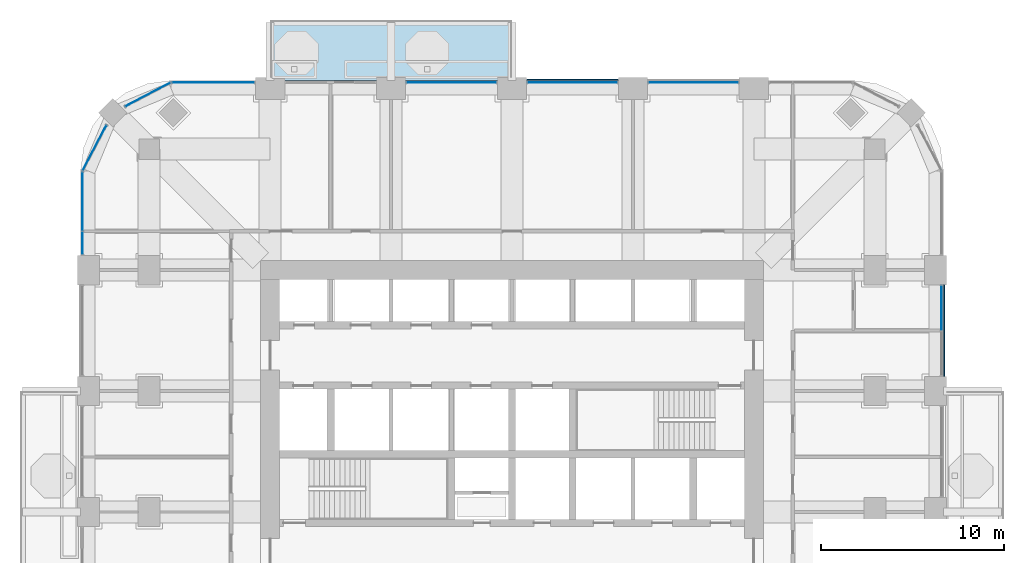
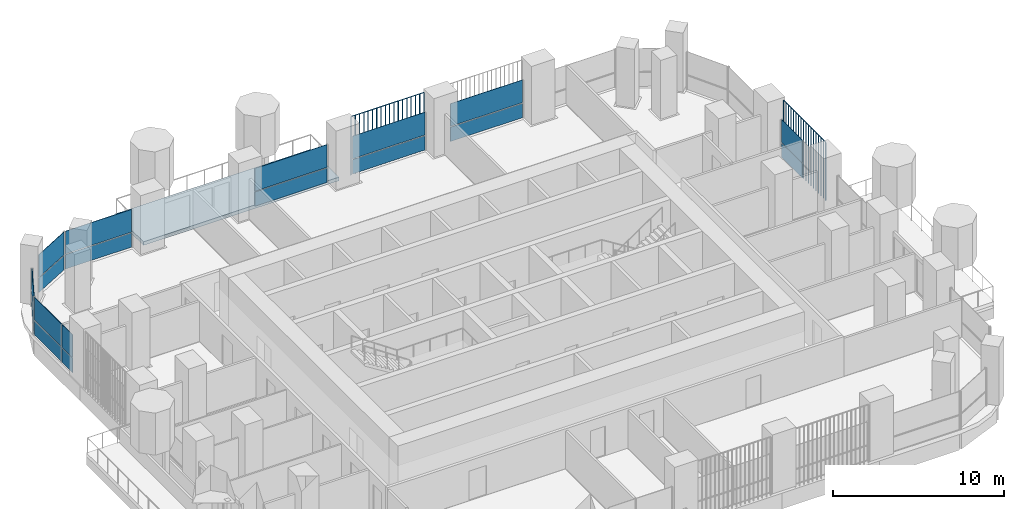
# One storey, part 10 of 20: 20 plates, 1 slab, 8 elements without a shape of their own.
"""IFC4 building model written with IfcOpenShell, lengths in metres."""

from ifc_helpers import new_model, si_unit, direction, frame, origin, origin_2d, place, context, subcontext, project, spatial, polyline, rectangle, outline, extrude, material, layer, layer_set, type_object, element, aggregate, save


model = new_model("IFC4")

# Units and contexts
model_context = context("Model", 3, precision=1e-05, world=origin(), true_north=direction((0.0, 1.0)))
body_context = subcontext(model_context, "Body", "Model", "MODEL_VIEW")
ifc_project = project(units=[si_unit("LENGTHUNIT", "METRE"), si_unit("AREAUNIT", "SQUARE_METRE"), si_unit("VOLUMEUNIT", "CUBIC_METRE"), si_unit("PLANEANGLEUNIT", "RADIAN"), si_unit("MASSUNIT", "GRAM", prefix="KILO")], contexts=[model_context])

# Site, building, storey
site_placement = place(None, origin())
site = spatial("IfcSite", under=ifc_project, at=site_placement, CompositionType="ELEMENT")
building_placement = place(site_placement, origin())
building = spatial("IfcBuilding", under=site, at=building_placement, Name="Cobogo Forest Laboratory Tower", CompositionType="ELEMENT")
storey_placement = place(building_placement, frame((0.0, 0.0, 193.5)))
storey = spatial("IfcBuildingStorey", under=building, at=storey_placement, Name="L44", CompositionType="ELEMENT", Elevation=193.5)

# Slab
ifc_material_1 = material(Name="Concrete HA-40 (C40/50)", Category="concrete")
ifc_layer_1 = layer(ifc_material_1, 0.25)
ifc_layer_set_1 = layer_set([ifc_layer_1], Name="Balcony slab 250")
slab_type = type_object("IfcSlabType", Name="Balcony slab 250", PredefinedType="FLOOR", material=ifc_layer_set_1)
slab_placement = place(storey_placement, frame((0.0, 0.0, -0.25)))
element("IfcSlab", 1, at=slab_placement, inside=storey, type_object=slab_type, Name="Balcony BAL-N1 L44", PredefinedType="FLOOR", context=body_context, shape_type="SweptSolid", body=[
    extrude(outline(polyline([(13.199951171875, 43.35009765625), (26.39990234375, 43.35009765625), (26.39990234375, 46.64990234375), (13.199951171875, 46.64990234375), (13.199951171875, 43.35009765625)])), origin(), (0.0, 0.0, 1.0), 0.25),
])

# Curtain wall, plates
ifc_material_2 = material(Name="Aluminium curtain wall", Category="aluminium")
curtain_wall_type = type_object("IfcCurtainWallType", Name="CW-2 unitised curtain wall, solar control glazing, laboratory floors zones C and D", PredefinedType="USERDEFINED", material=ifc_material_2)
curtain_wall_1_placement = place(storey_placement, origin())
curtain_wall_1 = element("IfcCurtainWall", 2, at=curtain_wall_1_placement, inside=storey, type_object=curtain_wall_type, Name="Curtain wall 12 L44", ObjectType="UNITISED CURTAIN WALL", PredefinedType="USERDEFINED")
ifc_material_3 = material(Name="Solar control insulated glass", Category="glass")
ifc_layer_2 = layer(ifc_material_3, 0.031982421875)
ifc_layer_set_2 = layer_set([ifc_layer_2], Name="GP-2 solar control glass unit 32")
plate_type_1 = type_object("IfcPlateType", Name="GP-2 solar control glass unit 32", PredefinedType="CURTAIN_PANEL", material=ifc_layer_set_2)
plate_1_placement = place(storey_placement, frame((49.85009765625, 30.93505859375, 0.0), z_axis=(0.0, 0.0, 1.0), x_axis=(0.0, 1.0, 0.0)))
plate_1 = element("IfcPlate", 3, at=plate_1_placement, type_object=plate_type_1, Name="CW-2 panel 2.1", PredefinedType="CURTAIN_PANEL", context=body_context, shape_type="SweptSolid", body=[
    extrude(rectangle(XDim=2.409912109375, YDim=0.031982421875, at=origin_2d()), origin(), (0.0, 0.0, 1.0), 1.02001953125),
])
plate_2_placement = place(storey_placement, frame((49.85009765625, 30.93505859375, 1.079833984375), z_axis=(0.0, 0.0, 1.0), x_axis=(0.0, 1.0, 0.0)))
plate_2 = element("IfcPlate", 4, at=plate_2_placement, type_object=plate_type_1, Name="CW-2 panel 2.2", PredefinedType="CURTAIN_PANEL", context=body_context, shape_type="SweptSolid", body=[
    extrude(rectangle(XDim=2.409912109375, YDim=0.031982421875, at=origin_2d()), origin(), (0.0, 0.0, 1.0), 1.6201171875),
])
aggregate(curtain_wall_1, [plate_1, plate_2])

curtain_wall_2_placement = place(storey_placement, origin())
curtain_wall_2 = element("IfcCurtainWall", 5, at=curtain_wall_2_placement, inside=storey, type_object=curtain_wall_type, Name="Curtain wall 17 L44", ObjectType="UNITISED CURTAIN WALL", PredefinedType="USERDEFINED")
plate_3_placement = place(storey_placement, frame((36.300048828125, 43.25, 0.0), z_axis=(0.0, 0.0, 1.0), x_axis=(-1.0, 0.0, 0.0)))
plate_3 = element("IfcPlate", 6, at=plate_3_placement, type_object=plate_type_1, Name="CW-2 panel 1.1", PredefinedType="CURTAIN_PANEL", context=body_context, shape_type="SweptSolid", body=[
    extrude(rectangle(XDim=4.8798828125, YDim=0.031982421875, at=origin_2d()), origin(), (0.0, 0.0, 1.0), 1.02001953125),
])
plate_4_placement = place(storey_placement, frame((36.300048828125, 43.25, 1.079833984375), z_axis=(0.0, 0.0, 1.0), x_axis=(-1.0, 0.0, 0.0)))
plate_4 = element("IfcPlate", 7, at=plate_4_placement, type_object=plate_type_1, Name="CW-2 panel 1.2", PredefinedType="CURTAIN_PANEL", context=body_context, shape_type="SweptSolid", body=[
    extrude(rectangle(XDim=4.8798828125, YDim=0.031982421875, at=origin_2d()), origin(), (0.0, 0.0, 1.0), 1.6201171875),
])
aggregate(curtain_wall_2, [plate_3, plate_4])

curtain_wall_3_placement = place(storey_placement, origin())
curtain_wall_3 = element("IfcCurtainWall", 8, at=curtain_wall_3_placement, inside=storey, type_object=curtain_wall_type, Name="Curtain wall 18 L44", ObjectType="UNITISED CURTAIN WALL", PredefinedType="USERDEFINED")
plate_5_placement = place(storey_placement, frame((29.699951171875, 43.25, 0.0), z_axis=(0.0, 0.0, 1.0), x_axis=(-1.0, 0.0, 0.0)))
plate_5 = element("IfcPlate", 9, at=plate_5_placement, type_object=plate_type_1, Name="CW-2 panel 1.1", PredefinedType="CURTAIN_PANEL", context=body_context, shape_type="SweptSolid", body=[
    extrude(rectangle(XDim=4.8798828125, YDim=0.031982421875, at=origin_2d()), origin(), (0.0, 0.0, 1.0), 1.02001953125),
])
plate_6_placement = place(storey_placement, frame((29.699951171875, 43.25, 1.079833984375), z_axis=(0.0, 0.0, 1.0), x_axis=(-1.0, 0.0, 0.0)))
plate_6 = element("IfcPlate", 10, at=plate_6_placement, type_object=plate_type_1, Name="CW-2 panel 1.2", PredefinedType="CURTAIN_PANEL", context=body_context, shape_type="SweptSolid", body=[
    extrude(rectangle(XDim=4.8798828125, YDim=0.031982421875, at=origin_2d()), origin(), (0.0, 0.0, 1.0), 1.6201171875),
])
aggregate(curtain_wall_3, [plate_5, plate_6])

curtain_wall_4_placement = place(storey_placement, origin())
curtain_wall_4 = element("IfcCurtainWall", 11, at=curtain_wall_4_placement, inside=storey, type_object=curtain_wall_type, Name="Curtain wall 19 L44", ObjectType="UNITISED CURTAIN WALL", PredefinedType="USERDEFINED")
plate_7_placement = place(storey_placement, frame((23.10009765625, 43.25, 0.0), z_axis=(0.0, 0.0, 1.0), x_axis=(-1.0, 0.0, 0.0)))
plate_7 = element("IfcPlate", 12, at=plate_7_placement, type_object=plate_type_1, Name="CW-2 panel 1.1", PredefinedType="CURTAIN_PANEL", context=body_context, shape_type="SweptSolid", body=[
    extrude(rectangle(XDim=4.8798828125, YDim=0.031982421875, at=origin_2d()), origin(), (0.0, 0.0, 1.0), 1.02001953125),
])
plate_8_placement = place(storey_placement, frame((23.10009765625, 43.25, 1.079833984375), z_axis=(0.0, 0.0, 1.0), x_axis=(-1.0, 0.0, 0.0)))
plate_8 = element("IfcPlate", 13, at=plate_8_placement, type_object=plate_type_1, Name="CW-2 panel 1.2", PredefinedType="CURTAIN_PANEL", context=body_context, shape_type="SweptSolid", body=[
    extrude(rectangle(XDim=4.8798828125, YDim=0.031982421875, at=origin_2d()), origin(), (0.0, 0.0, 1.0), 1.6201171875),
])
aggregate(curtain_wall_4, [plate_7, plate_8])

curtain_wall_5_placement = place(storey_placement, origin())
curtain_wall_5 = element("IfcCurtainWall", 14, at=curtain_wall_5_placement, inside=storey, type_object=curtain_wall_type, Name="Curtain wall 21 L44", ObjectType="UNITISED CURTAIN WALL", PredefinedType="USERDEFINED")
plate_9_placement = place(storey_placement, frame((10.10009765625, 43.25, 0.0), z_axis=(0.0, 0.0, 1.0), x_axis=(-1.0, 0.0, 0.0)))
plate_9 = element("IfcPlate", 15, at=plate_9_placement, type_object=plate_type_1, Name="CW-2 panel 1.1", PredefinedType="CURTAIN_PANEL", context=body_context, shape_type="SweptSolid", body=[
    extrude(rectangle(XDim=4.47998046875, YDim=0.031982421875, at=origin_2d()), origin(), (0.0, 0.0, 1.0), 1.02001953125),
])
plate_10_placement = place(storey_placement, frame((10.10009765625, 43.25, 1.079833984375), z_axis=(0.0, 0.0, 1.0), x_axis=(-1.0, 0.0, 0.0)))
plate_10 = element("IfcPlate", 16, at=plate_10_placement, type_object=plate_type_1, Name="CW-2 panel 1.2", PredefinedType="CURTAIN_PANEL", context=body_context, shape_type="SweptSolid", body=[
    extrude(rectangle(XDim=4.47998046875, YDim=0.031982421875, at=origin_2d()), origin(), (0.0, 0.0, 1.0), 1.6201171875),
])
aggregate(curtain_wall_5, [plate_9, plate_10])

curtain_wall_6_placement = place(storey_placement, origin())
curtain_wall_6 = element("IfcCurtainWall", 17, at=curtain_wall_6_placement, inside=storey, type_object=curtain_wall_type, Name="Curtain wall 22 L44", ObjectType="UNITISED CURTAIN WALL", PredefinedType="USERDEFINED")
plate_11_placement = place(storey_placement, frame((6.5244140625, 42.581298828125, 0.0), z_axis=(0.0, 0.0, 1.0), x_axis=(-0.885686484356, -0.464283804832, 0.0)))
plate_11 = element("IfcPlate", 18, at=plate_11_placement, type_object=plate_type_1, Name="CW-2 panel 1.1", PredefinedType="CURTAIN_PANEL", context=body_context, shape_type="SweptSolid", body=[
    extrude(rectangle(XDim=2.76025390625, YDim=0.031982421875, at=origin_2d()), origin(), (0.0, 0.0, 1.0), 1.02001953125),
])
plate_12_placement = place(storey_placement, frame((6.5244140625, 42.581298828125, 1.079833984375), z_axis=(0.0, 0.0, 1.0), x_axis=(-0.885686484356, -0.464283804832, 0.0)))
plate_12 = element("IfcPlate", 19, at=plate_12_placement, type_object=plate_type_1, Name="CW-2 panel 1.2", PredefinedType="CURTAIN_PANEL", context=body_context, shape_type="SweptSolid", body=[
    extrude(rectangle(XDim=2.76025390625, YDim=0.031982421875, at=origin_2d()), origin(), (0.0, 0.0, 1.0), 1.6201171875),
])
aggregate(curtain_wall_6, [plate_11, plate_12])

curtain_wall_7_placement = place(storey_placement, origin())
curtain_wall_7 = element("IfcCurtainWall", 20, at=curtain_wall_7_placement, inside=storey, type_object=curtain_wall_type, Name="Curtain wall 23 L44", ObjectType="UNITISED CURTAIN WALL", PredefinedType="USERDEFINED")
plate_13_placement = place(storey_placement, frame((3.61865234375, 39.675537109375, 0.0), z_axis=(0.0, 0.0, 1.0), x_axis=(-0.464283804832, -0.885686484356, 0.0)))
plate_13 = element("IfcPlate", 21, at=plate_13_placement, type_object=plate_type_1, Name="CW-2 panel 1.1", PredefinedType="CURTAIN_PANEL", context=body_context, shape_type="SweptSolid", body=[
    extrude(rectangle(XDim=2.76025390625, YDim=0.031982421875, at=origin_2d()), origin(), (0.0, 0.0, 1.0), 1.02001953125),
])
plate_14_placement = place(storey_placement, frame((3.61865234375, 39.675537109375, 1.079833984375), z_axis=(0.0, 0.0, 1.0), x_axis=(-0.464283804832, -0.885686484356, 0.0)))
plate_14 = element("IfcPlate", 22, at=plate_14_placement, type_object=plate_type_1, Name="CW-2 panel 1.2", PredefinedType="CURTAIN_PANEL", context=body_context, shape_type="SweptSolid", body=[
    extrude(rectangle(XDim=2.76025390625, YDim=0.031982421875, at=origin_2d()), origin(), (0.0, 0.0, 1.0), 1.6201171875),
])
aggregate(curtain_wall_7, [plate_13, plate_14])

curtain_wall_8_placement = place(storey_placement, origin())
curtain_wall_8 = element("IfcCurtainWall", 23, at=curtain_wall_8_placement, inside=storey, type_object=curtain_wall_type, Name="Curtain wall 24 L44", ObjectType="UNITISED CURTAIN WALL", PredefinedType="USERDEFINED")
plate_15_placement = place(storey_placement, frame((2.949951171875, 36.74755859375, 0.0), z_axis=(0.0, 0.0, 1.0), x_axis=(0.0, -1.0, 0.0)))
plate_15 = element("IfcPlate", 24, at=plate_15_placement, type_object=plate_type_1, Name="CW-2 panel 1.1", PredefinedType="CURTAIN_PANEL", context=body_context, shape_type="SweptSolid", body=[
    extrude(rectangle(XDim=3.18505859375, YDim=0.031982421875, at=origin_2d()), origin(), (0.0, 0.0, 1.0), 1.02001953125),
])
plate_16_placement = place(storey_placement, frame((2.949951171875, 36.74755859375, 1.079833984375), z_axis=(0.0, 0.0, 1.0), x_axis=(0.0, -1.0, 0.0)))
plate_16 = element("IfcPlate", 25, at=plate_16_placement, type_object=plate_type_1, Name="CW-2 panel 1.2", PredefinedType="CURTAIN_PANEL", context=body_context, shape_type="SweptSolid", body=[
    extrude(rectangle(XDim=3.18505859375, YDim=0.031982421875, at=origin_2d()), origin(), (0.0, 0.0, 1.0), 1.6201171875),
])
plate_17_placement = place(storey_placement, frame((2.949951171875, 34.4775390625, 0.0), z_axis=(0.0, 0.0, 1.0), x_axis=(0.0, -1.0, 0.0)))
plate_17 = element("IfcPlate", 26, at=plate_17_placement, type_object=plate_type_1, Name="CW-2 panel 2.1", PredefinedType="CURTAIN_PANEL", context=body_context, shape_type="SweptSolid", body=[
    extrude(rectangle(XDim=1.235107421875, YDim=0.031982421875, at=origin_2d()), origin(), (0.0, 0.0, 1.0), 1.02001953125),
])
plate_18_placement = place(storey_placement, frame((2.949951171875, 34.4775390625, 1.079833984375), z_axis=(0.0, 0.0, 1.0), x_axis=(0.0, -1.0, 0.0)))
plate_18 = element("IfcPlate", 27, at=plate_18_placement, type_object=plate_type_1, Name="CW-2 panel 2.2", PredefinedType="CURTAIN_PANEL", context=body_context, shape_type="SweptSolid", body=[
    extrude(rectangle(XDim=1.235107421875, YDim=0.031982421875, at=origin_2d()), origin(), (0.0, 0.0, 1.0), 1.6201171875),
])
aggregate(curtain_wall_8, [plate_15, plate_16, plate_17, plate_18])

# Plates
ifc_material_4 = material(Name="Terracotta", Category="masonry")
plate_type_2 = type_object("IfcPlateType", Name="TB1 terracotta baguette screen", PredefinedType="USERDEFINED", material=ifc_material_4)
plate_19_placement = place(storey_placement, frame((49.977783203125, 27.231201171875, -0.14990234375)))
element("IfcPlate", 28, at=plate_19_placement, inside=storey, type_object=plate_type_2, Name="Baguette screen E3 L44", ObjectType="BAGUETTE SCREEN", PredefinedType="USERDEFINED", context=body_context, shape_type="SweptSolid", body=[
    extrude(outline(polyline([(0.02880859375, 0.011962890625), (0.011962890625, 0.02880859375), (-0.011962890625, 0.02880859375), (-0.02880859375, 0.011962890625), (-0.02880859375, -0.011962890625), (-0.011962890625, -0.02880859375), (0.011962890625, -0.02880859375), (0.02880859375, -0.011962890625), (0.02880859375, 0.011962890625)])), frame((0.0, 0.0, 4.168701171875), z_axis=(0.0, 1.0, 0.0), x_axis=(-1.0, 0.0, 0.0)), (0.0, 0.0, 1.0), 4.9375),
    extrude(outline(polyline([(0.02880859375, 0.011962890625), (0.011962890625, 0.02880859375), (-0.011962890625, 0.02880859375), (-0.02880859375, 0.011962890625), (-0.02880859375, -0.011962890625), (-0.011962890625, -0.02880859375), (0.011962890625, -0.02880859375), (0.02880859375, -0.011962890625), (0.02880859375, 0.011962890625)])), origin(), (0.0, 0.0, 1.0), 4.137451171875),
    extrude(outline(polyline([(0.02880859375, 0.011962890625), (0.011962890625, 0.02880859375), (-0.011962890625, 0.02880859375), (-0.02880859375, 0.011962890625), (-0.02880859375, -0.011962890625), (-0.011962890625, -0.02880859375), (0.011962890625, -0.02880859375), (0.02880859375, -0.011962890625), (0.02880859375, 0.011962890625)])), frame((0.0, 0.29052734375, 0.0)), (0.0, 0.0, 1.0), 4.137451171875),
    extrude(outline(polyline([(0.02880859375, 0.011962890625), (0.011962890625, 0.02880859375), (-0.011962890625, 0.02880859375), (-0.02880859375, 0.011962890625), (-0.02880859375, -0.011962890625), (-0.011962890625, -0.02880859375), (0.011962890625, -0.02880859375), (0.02880859375, -0.011962890625), (0.02880859375, 0.011962890625)])), frame((0.0, 0.580810546875, 0.0)), (0.0, 0.0, 1.0), 4.137451171875),
    extrude(outline(polyline([(0.02880859375, 0.011962890625), (0.011962890625, 0.02880859375), (-0.011962890625, 0.02880859375), (-0.02880859375, 0.011962890625), (-0.02880859375, -0.011962890625), (-0.011962890625, -0.02880859375), (0.011962890625, -0.02880859375), (0.02880859375, -0.011962890625), (0.02880859375, 0.011962890625)])), frame((0.0, 0.871337890625, 0.0)), (0.0, 0.0, 1.0), 4.137451171875),
    extrude(outline(polyline([(0.02880859375, 0.011962890625), (0.011962890625, 0.02880859375), (-0.011962890625, 0.02880859375), (-0.02880859375, 0.011962890625), (-0.02880859375, -0.011962890625), (-0.011962890625, -0.02880859375), (0.011962890625, -0.02880859375), (0.02880859375, -0.011962890625), (0.02880859375, 0.011962890625)])), frame((0.0, 1.161865234375, 0.0)), (0.0, 0.0, 1.0), 4.137451171875),
    extrude(outline(polyline([(0.02880859375, 0.011962890625), (0.011962890625, 0.02880859375), (-0.011962890625, 0.02880859375), (-0.02880859375, 0.011962890625), (-0.02880859375, -0.011962890625), (-0.011962890625, -0.02880859375), (0.011962890625, -0.02880859375), (0.02880859375, -0.011962890625), (0.02880859375, 0.011962890625)])), frame((0.0, 1.4521484375, 0.0)), (0.0, 0.0, 1.0), 4.137451171875),
    extrude(outline(polyline([(0.02880859375, 0.011962890625), (0.011962890625, 0.02880859375), (-0.011962890625, 0.02880859375), (-0.02880859375, 0.011962890625), (-0.02880859375, -0.011962890625), (-0.011962890625, -0.02880859375), (0.011962890625, -0.02880859375), (0.02880859375, -0.011962890625), (0.02880859375, 0.011962890625)])), frame((0.0, 1.74267578125, 0.0)), (0.0, 0.0, 1.0), 4.137451171875),
    extrude(outline(polyline([(0.02880859375, 0.011962890625), (0.011962890625, 0.02880859375), (-0.011962890625, 0.02880859375), (-0.02880859375, 0.011962890625), (-0.02880859375, -0.011962890625), (-0.011962890625, -0.02880859375), (0.011962890625, -0.02880859375), (0.02880859375, -0.011962890625), (0.02880859375, 0.011962890625)])), frame((0.0, 2.033203125, 0.0)), (0.0, 0.0, 1.0), 4.137451171875),
    extrude(outline(polyline([(0.02880859375, 0.011962890625), (0.011962890625, 0.02880859375), (-0.011962890625, 0.02880859375), (-0.02880859375, 0.011962890625), (-0.02880859375, -0.011962890625), (-0.011962890625, -0.02880859375), (0.011962890625, -0.02880859375), (0.02880859375, -0.011962890625), (0.02880859375, 0.011962890625)])), frame((0.0, 2.323486328125, 0.0)), (0.0, 0.0, 1.0), 4.137451171875),
    extrude(outline(polyline([(0.02880859375, 0.011962890625), (0.011962890625, 0.02880859375), (-0.011962890625, 0.02880859375), (-0.02880859375, 0.011962890625), (-0.02880859375, -0.011962890625), (-0.011962890625, -0.02880859375), (0.011962890625, -0.02880859375), (0.02880859375, -0.011962890625), (0.02880859375, 0.011962890625)])), frame((0.0, 2.614013671875, 0.0)), (0.0, 0.0, 1.0), 4.137451171875),
    extrude(outline(polyline([(0.02880859375, 0.011962890625), (0.011962890625, 0.02880859375), (-0.011962890625, 0.02880859375), (-0.02880859375, 0.011962890625), (-0.02880859375, -0.011962890625), (-0.011962890625, -0.02880859375), (0.011962890625, -0.02880859375), (0.02880859375, -0.011962890625), (0.02880859375, 0.011962890625)])), frame((0.0, 2.904296875, 0.0)), (0.0, 0.0, 1.0), 4.137451171875),
    extrude(outline(polyline([(0.02880859375, 0.011962890625), (0.011962890625, 0.02880859375), (-0.011962890625, 0.02880859375), (-0.02880859375, 0.011962890625), (-0.02880859375, -0.011962890625), (-0.011962890625, -0.02880859375), (0.011962890625, -0.02880859375), (0.02880859375, -0.011962890625), (0.02880859375, 0.011962890625)])), frame((0.0, 3.19482421875, 0.0)), (0.0, 0.0, 1.0), 4.137451171875),
    extrude(outline(polyline([(0.02880859375, 0.011962890625), (0.011962890625, 0.02880859375), (-0.011962890625, 0.02880859375), (-0.02880859375, 0.011962890625), (-0.02880859375, -0.011962890625), (-0.011962890625, -0.02880859375), (0.011962890625, -0.02880859375), (0.02880859375, -0.011962890625), (0.02880859375, 0.011962890625)])), frame((0.0, 3.4853515625, 0.0)), (0.0, 0.0, 1.0), 4.137451171875),
    extrude(outline(polyline([(0.02880859375, 0.011962890625), (0.011962890625, 0.02880859375), (-0.011962890625, 0.02880859375), (-0.02880859375, 0.011962890625), (-0.02880859375, -0.011962890625), (-0.011962890625, -0.02880859375), (0.011962890625, -0.02880859375), (0.02880859375, -0.011962890625), (0.02880859375, 0.011962890625)])), frame((0.0, 3.775634765625, 0.0)), (0.0, 0.0, 1.0), 4.137451171875),
    extrude(outline(polyline([(0.02880859375, 0.011962890625), (0.011962890625, 0.02880859375), (-0.011962890625, 0.02880859375), (-0.02880859375, 0.011962890625), (-0.02880859375, -0.011962890625), (-0.011962890625, -0.02880859375), (0.011962890625, -0.02880859375), (0.02880859375, -0.011962890625), (0.02880859375, 0.011962890625)])), frame((0.0, 4.066162109375, 0.0)), (0.0, 0.0, 1.0), 4.137451171875),
    extrude(outline(polyline([(0.02880859375, 0.011962890625), (0.011962890625, 0.02880859375), (-0.011962890625, 0.02880859375), (-0.02880859375, 0.011962890625), (-0.02880859375, -0.011962890625), (-0.011962890625, -0.02880859375), (0.011962890625, -0.02880859375), (0.02880859375, -0.011962890625), (0.02880859375, 0.011962890625)])), frame((0.0, 4.356689453125, 0.0)), (0.0, 0.0, 1.0), 4.137451171875),
    extrude(outline(polyline([(0.02880859375, 0.011962890625), (0.011962890625, 0.02880859375), (-0.011962890625, 0.02880859375), (-0.02880859375, 0.011962890625), (-0.02880859375, -0.011962890625), (-0.011962890625, -0.02880859375), (0.011962890625, -0.02880859375), (0.02880859375, -0.011962890625), (0.02880859375, 0.011962890625)])), frame((0.0, 4.64697265625, 0.0)), (0.0, 0.0, 1.0), 4.137451171875),
    extrude(outline(polyline([(0.02880859375, 0.011962890625), (0.011962890625, 0.02880859375), (-0.011962890625, 0.02880859375), (-0.02880859375, 0.011962890625), (-0.02880859375, -0.011962890625), (-0.011962890625, -0.02880859375), (0.011962890625, -0.02880859375), (0.02880859375, -0.011962890625), (0.02880859375, 0.011962890625)])), frame((0.0, 4.9375, 0.0)), (0.0, 0.0, 1.0), 4.137451171875),
])
plate_20_placement = place(storey_placement, frame((27.231201171875, 43.3779296875, -0.14990234375)))
element("IfcPlate", 29, at=plate_20_placement, inside=storey, type_object=plate_type_2, Name="Baguette screen N3 L44", ObjectType="BAGUETTE SCREEN", PredefinedType="USERDEFINED", context=body_context, shape_type="SweptSolid", body=[
    extrude(outline(polyline([(0.02880859375, 0.011962890625), (0.011962890625, 0.02880859375), (-0.011962890625, 0.02880859375), (-0.02880859375, 0.011962890625), (-0.02880859375, -0.011962890625), (-0.011962890625, -0.02880859375), (0.011962890625, -0.02880859375), (0.02880859375, -0.011962890625), (0.02880859375, 0.011962890625)])), frame((0.0, 0.0, 4.168701171875), z_axis=(1.0, 0.0, 0.0), x_axis=(0.0, 1.0, 0.0)), (0.0, 0.0, 1.0), 4.9375),
    extrude(outline(polyline([(0.02880859375, 0.011962890625), (0.011962890625, 0.02880859375), (-0.011962890625, 0.02880859375), (-0.02880859375, 0.011962890625), (-0.02880859375, -0.011962890625), (-0.011962890625, -0.02880859375), (0.011962890625, -0.02880859375), (0.02880859375, -0.011962890625), (0.02880859375, 0.011962890625)])), origin(), (0.0, 0.0, 1.0), 4.137451171875),
    extrude(outline(polyline([(0.02880859375, 0.011962890625), (0.011962890625, 0.02880859375), (-0.011962890625, 0.02880859375), (-0.02880859375, 0.011962890625), (-0.02880859375, -0.011962890625), (-0.011962890625, -0.02880859375), (0.011962890625, -0.02880859375), (0.02880859375, -0.011962890625), (0.02880859375, 0.011962890625)])), frame((0.29052734375, 0.0, 0.0)), (0.0, 0.0, 1.0), 4.137451171875),
    extrude(outline(polyline([(0.02880859375, 0.011962890625), (0.011962890625, 0.02880859375), (-0.011962890625, 0.02880859375), (-0.02880859375, 0.011962890625), (-0.02880859375, -0.011962890625), (-0.011962890625, -0.02880859375), (0.011962890625, -0.02880859375), (0.02880859375, -0.011962890625), (0.02880859375, 0.011962890625)])), frame((0.580810546875, 0.0, 0.0)), (0.0, 0.0, 1.0), 4.137451171875),
    extrude(outline(polyline([(0.02880859375, 0.011962890625), (0.011962890625, 0.02880859375), (-0.011962890625, 0.02880859375), (-0.02880859375, 0.011962890625), (-0.02880859375, -0.011962890625), (-0.011962890625, -0.02880859375), (0.011962890625, -0.02880859375), (0.02880859375, -0.011962890625), (0.02880859375, 0.011962890625)])), frame((0.871337890625, 0.0, 0.0)), (0.0, 0.0, 1.0), 4.137451171875),
    extrude(outline(polyline([(0.02880859375, 0.011962890625), (0.011962890625, 0.02880859375), (-0.011962890625, 0.02880859375), (-0.02880859375, 0.011962890625), (-0.02880859375, -0.011962890625), (-0.011962890625, -0.02880859375), (0.011962890625, -0.02880859375), (0.02880859375, -0.011962890625), (0.02880859375, 0.011962890625)])), frame((1.161865234375, 0.0, 0.0)), (0.0, 0.0, 1.0), 4.137451171875),
    extrude(outline(polyline([(0.02880859375, 0.011962890625), (0.011962890625, 0.02880859375), (-0.011962890625, 0.02880859375), (-0.02880859375, 0.011962890625), (-0.02880859375, -0.011962890625), (-0.011962890625, -0.02880859375), (0.011962890625, -0.02880859375), (0.02880859375, -0.011962890625), (0.02880859375, 0.011962890625)])), frame((1.4521484375, 0.0, 0.0)), (0.0, 0.0, 1.0), 4.137451171875),
    extrude(outline(polyline([(0.02880859375, 0.011962890625), (0.011962890625, 0.02880859375), (-0.011962890625, 0.02880859375), (-0.02880859375, 0.011962890625), (-0.02880859375, -0.011962890625), (-0.011962890625, -0.02880859375), (0.011962890625, -0.02880859375), (0.02880859375, -0.011962890625), (0.02880859375, 0.011962890625)])), frame((1.74267578125, 0.0, 0.0)), (0.0, 0.0, 1.0), 4.137451171875),
    extrude(outline(polyline([(0.02880859375, 0.011962890625), (0.011962890625, 0.02880859375), (-0.011962890625, 0.02880859375), (-0.02880859375, 0.011962890625), (-0.02880859375, -0.011962890625), (-0.011962890625, -0.02880859375), (0.011962890625, -0.02880859375), (0.02880859375, -0.011962890625), (0.02880859375, 0.011962890625)])), frame((2.033203125, 0.0, 0.0)), (0.0, 0.0, 1.0), 4.137451171875),
    extrude(outline(polyline([(0.02880859375, 0.011962890625), (0.011962890625, 0.02880859375), (-0.011962890625, 0.02880859375), (-0.02880859375, 0.011962890625), (-0.02880859375, -0.011962890625), (-0.011962890625, -0.02880859375), (0.011962890625, -0.02880859375), (0.02880859375, -0.011962890625), (0.02880859375, 0.011962890625)])), frame((2.323486328125, 0.0, 0.0)), (0.0, 0.0, 1.0), 4.137451171875),
    extrude(outline(polyline([(0.02880859375, 0.011962890625), (0.011962890625, 0.02880859375), (-0.011962890625, 0.02880859375), (-0.02880859375, 0.011962890625), (-0.02880859375, -0.011962890625), (-0.011962890625, -0.02880859375), (0.011962890625, -0.02880859375), (0.02880859375, -0.011962890625), (0.02880859375, 0.011962890625)])), frame((2.614013671875, 0.0, 0.0)), (0.0, 0.0, 1.0), 4.137451171875),
    extrude(outline(polyline([(0.02880859375, 0.011962890625), (0.011962890625, 0.02880859375), (-0.011962890625, 0.02880859375), (-0.02880859375, 0.011962890625), (-0.02880859375, -0.011962890625), (-0.011962890625, -0.02880859375), (0.011962890625, -0.02880859375), (0.02880859375, -0.011962890625), (0.02880859375, 0.011962890625)])), frame((2.904296875, 0.0, 0.0)), (0.0, 0.0, 1.0), 4.137451171875),
    extrude(outline(polyline([(0.02880859375, 0.011962890625), (0.011962890625, 0.02880859375), (-0.011962890625, 0.02880859375), (-0.02880859375, 0.011962890625), (-0.02880859375, -0.011962890625), (-0.011962890625, -0.02880859375), (0.011962890625, -0.02880859375), (0.02880859375, -0.011962890625), (0.02880859375, 0.011962890625)])), frame((3.19482421875, 0.0, 0.0)), (0.0, 0.0, 1.0), 4.137451171875),
    extrude(outline(polyline([(0.02880859375, 0.011962890625), (0.011962890625, 0.02880859375), (-0.011962890625, 0.02880859375), (-0.02880859375, 0.011962890625), (-0.02880859375, -0.011962890625), (-0.011962890625, -0.02880859375), (0.011962890625, -0.02880859375), (0.02880859375, -0.011962890625), (0.02880859375, 0.011962890625)])), frame((3.4853515625, 0.0, 0.0)), (0.0, 0.0, 1.0), 4.137451171875),
    extrude(outline(polyline([(0.02880859375, 0.011962890625), (0.011962890625, 0.02880859375), (-0.011962890625, 0.02880859375), (-0.02880859375, 0.011962890625), (-0.02880859375, -0.011962890625), (-0.011962890625, -0.02880859375), (0.011962890625, -0.02880859375), (0.02880859375, -0.011962890625), (0.02880859375, 0.011962890625)])), frame((3.775634765625, 0.0, 0.0)), (0.0, 0.0, 1.0), 4.137451171875),
    extrude(outline(polyline([(0.02880859375, 0.011962890625), (0.011962890625, 0.02880859375), (-0.011962890625, 0.02880859375), (-0.02880859375, 0.011962890625), (-0.02880859375, -0.011962890625), (-0.011962890625, -0.02880859375), (0.011962890625, -0.02880859375), (0.02880859375, -0.011962890625), (0.02880859375, 0.011962890625)])), frame((4.066162109375, 0.0, 0.0)), (0.0, 0.0, 1.0), 4.137451171875),
    extrude(outline(polyline([(0.02880859375, 0.011962890625), (0.011962890625, 0.02880859375), (-0.011962890625, 0.02880859375), (-0.02880859375, 0.011962890625), (-0.02880859375, -0.011962890625), (-0.011962890625, -0.02880859375), (0.011962890625, -0.02880859375), (0.02880859375, -0.011962890625), (0.02880859375, 0.011962890625)])), frame((4.356689453125, 0.0, 0.0)), (0.0, 0.0, 1.0), 4.137451171875),
    extrude(outline(polyline([(0.02880859375, 0.011962890625), (0.011962890625, 0.02880859375), (-0.011962890625, 0.02880859375), (-0.02880859375, 0.011962890625), (-0.02880859375, -0.011962890625), (-0.011962890625, -0.02880859375), (0.011962890625, -0.02880859375), (0.02880859375, -0.011962890625), (0.02880859375, 0.011962890625)])), frame((4.64697265625, 0.0, 0.0)), (0.0, 0.0, 1.0), 4.137451171875),
    extrude(outline(polyline([(0.02880859375, 0.011962890625), (0.011962890625, 0.02880859375), (-0.011962890625, 0.02880859375), (-0.02880859375, 0.011962890625), (-0.02880859375, -0.011962890625), (-0.011962890625, -0.02880859375), (0.011962890625, -0.02880859375), (0.02880859375, -0.011962890625), (0.02880859375, 0.011962890625)])), frame((4.9375, 0.0, 0.0)), (0.0, 0.0, 1.0), 4.137451171875),
])

save(model, "model.ifc")
